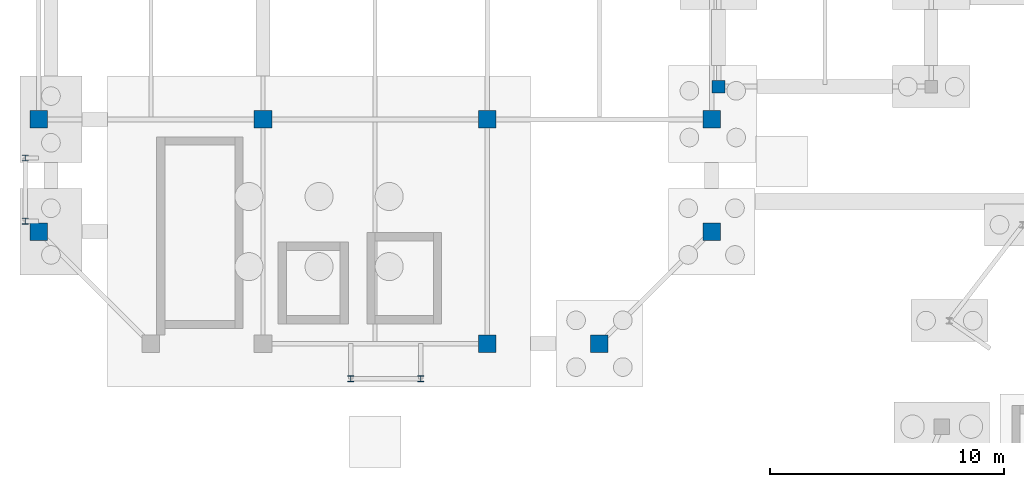
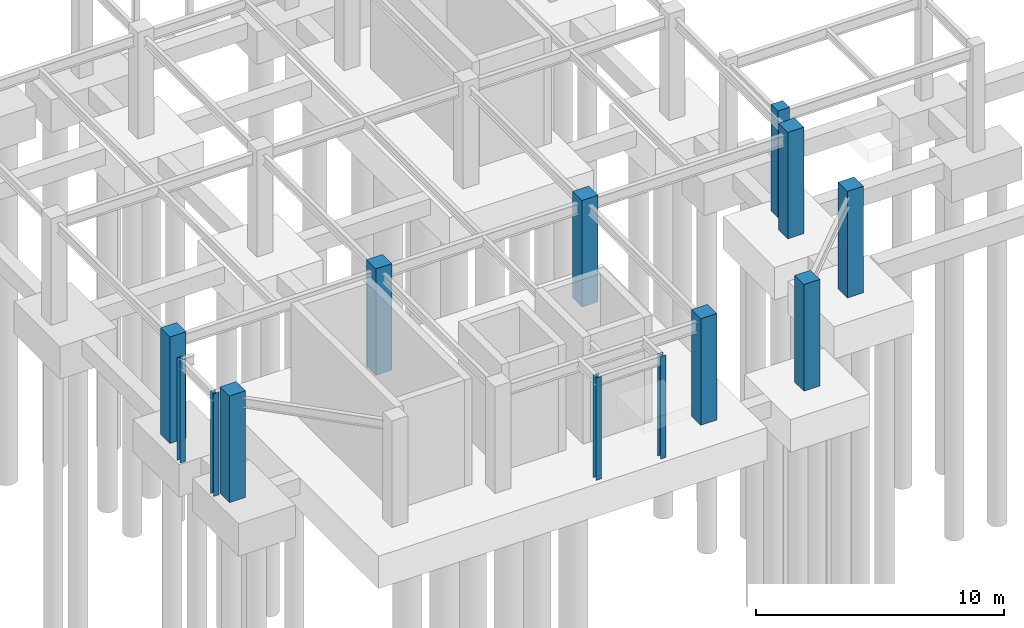
# One storey, part 19 of 55: 13 columns.
"""IFC4 building model written with IfcOpenShell, lengths in metres."""

from ifc_helpers import new_model, si_unit, direction, frame, origin, origin_2d, place, context, subcontext, project, spatial, rectangle, i_section, extrude, material, material_profile, profile_set, type_object, element, save


model = new_model("IFC4")

# Units and contexts
model_context = context("Model", 3, precision=1e-05, world=origin(), true_north=direction((0.0, 1.0)))
body_context = subcontext(model_context, "Body", "Model", "MODEL_VIEW")
ifc_project = project(units=[si_unit("LENGTHUNIT", "METRE"), si_unit("AREAUNIT", "SQUARE_METRE"), si_unit("VOLUMEUNIT", "CUBIC_METRE"), si_unit("PLANEANGLEUNIT", "RADIAN"), si_unit("MASSUNIT", "GRAM", prefix="KILO")], contexts=[model_context])

# Site, building, storey
site_placement = place(None, origin())
site = spatial("IfcSite", under=ifc_project, at=site_placement, CompositionType="ELEMENT")
building_placement = place(site_placement, origin())
building = spatial("IfcBuilding", under=site, at=building_placement, Name="Almandine Court Research Institute", CompositionType="ELEMENT")
storey_placement = place(building_placement, frame((0.0, 0.0, -5.25)))
storey = spatial("IfcBuildingStorey", under=building, at=storey_placement, Name="B1", CompositionType="ELEMENT", Elevation=-5.25)

# Columns
ifc_material_1 = material(Name="Concrete C40/50", Category="concrete")
ifc_material_profile_1 = material_profile(ifc_material_1, rectangle(XDim=0.75, YDim=0.75, at=origin_2d()), Name="RC 750x750")
ifc_profile_set_1 = profile_set([ifc_material_profile_1], Name="Concrete C40/50")
column_type_1 = type_object("IfcColumnType", Name="Col-C-RC1", PredefinedType="COLUMN", material=ifc_profile_set_1)
for number, where, z_axis, x_axis, name in (
    (1, (6.0, 93.60009765625, 0.0), (0.0, 0.0, 1.0), (1.0, 0.0, 0.0), "B1 V3 Column V3-X1Y2"),
    (2, (15.60009765625, 93.60009765625, 0.0), (0.0, 0.0, 1.0), (1.0, 0.0, 0.0), "B1 V3 Column V3-X2Y2"),
    (3, (25.199951171875, 84.0, 0.0), (0.0, 0.0, 1.0), (1.0, 0.0, 0.0), "B1 V3 Column V3-X3Y1"),
    (4, (25.199951171875, 93.60009765625, 0.0), (0.0, 0.0, 1.0), (1.0, 0.0, 0.0), "B1 V3 Column V3-X3Y2"),
    (5, (34.800048828125, 93.60009765625, 0.0), (0.0, 0.0, 1.0), (1.0, 0.0, 0.0), "B1 V3 Column V3-X4Y2"),
    (6, (30.0, 84.0, 0.0), (0.0, 0.0, 1.0), (1.0, 0.0, 0.0), "B1 V3 Column V3-CH2"),
    (7, (34.800048828125, 88.800048828125, 0.0), (0.0, 0.0, 1.0), (1.0, 0.0, 0.0), "B1 V3 Column V3-CH3"),
    (8, (6.0, 88.800048828125, 0.0), (0.0, 0.0, 1.0), (1.0, 0.0, 0.0), "B1 V3 Column V3-CH8"),
):
    element("IfcColumn", number, at=place(storey_placement, frame(where, z_axis=z_axis, x_axis=x_axis)), inside=storey, type_object=column_type_1, Name=name, PredefinedType="COLUMN", context=body_context, shape_type="SweptSolid", body=[
        extrude(rectangle(XDim=0.75, YDim=0.75, at=origin_2d()), origin(), (0.0, 0.0, 1.0), 5.25),
    ])
ifc_material_profile_2 = material_profile(ifc_material_1, rectangle(XDim=0.550048828125, YDim=0.550048828125, at=origin_2d()), Name="RC 550x550")
ifc_profile_set_2 = profile_set([ifc_material_profile_2], Name="Concrete C40/50")
column_type_2 = type_object("IfcColumnType", Name="Col-C-RC3", PredefinedType="COLUMN", material=ifc_profile_set_2)
column_placement = place(storey_placement, frame((35.10009765625, 95.0, 0.0), z_axis=(0.0, 0.0, 1.0), x_axis=(1.0, 0.0, 0.0)))
element("IfcColumn", 9, at=column_placement, inside=storey, type_object=column_type_2, Name="B1 DAL-NW Column DAL-NW-X1Y1", PredefinedType="COLUMN", context=body_context, shape_type="SweptSolid", body=[
    extrude(rectangle(XDim=0.550048828125, YDim=0.550048828125, at=origin_2d()), origin(), (0.0, 0.0, 1.0), 5.25),
])
ifc_material_2 = material(Name="Steel ASTM A992 Grade 50", Category="steel")
ifc_material_profile_3 = material_profile(ifc_material_2, i_section(OverallWidth=0.25390625, OverallDepth=0.2529296875, WebThickness=0.009033203125, FlangeThickness=0.013916015625, at=origin_2d()), Name="W250x73")
ifc_profile_set_3 = profile_set([ifc_material_profile_3], Name="Steel ASTM A992 Grade 50")
column_type_3 = type_object("IfcColumnType", Name="Col-C-W10", PredefinedType="COLUMN", material=ifc_profile_set_3)
for number, where, z_axis, x_axis, name in (
    (10, (5.419921875, 89.25, 0.0), (0.0, 0.0, 1.0), (1.0, 0.0, 0.0), "B1 Exterior Threshold Support Column PAD-V3-W1-C1"),
    (11, (5.419921875, 91.949951171875, 0.0), (0.0, 0.0, 1.0), (1.0, 0.0, 0.0), "B1 Exterior Threshold Support Column PAD-V3-W1-C2"),
    (12, (19.35009765625, 82.5, 0.0), (0.0, 0.0, 1.0), (1.0, 0.0, 0.0), "B1 Exterior Threshold Support Column PAD-V3-S2-C1"),
    (13, (22.35009765625, 82.5, 0.0), (0.0, 0.0, 1.0), (1.0, 0.0, 0.0), "B1 Exterior Threshold Support Column PAD-V3-S2-C2"),
):
    element("IfcColumn", number, at=place(storey_placement, frame(where, z_axis=z_axis, x_axis=x_axis)), inside=storey, type_object=column_type_3, Name=name, PredefinedType="COLUMN", context=body_context, shape_type="SweptSolid", body=[
        extrude(i_section(OverallWidth=0.25390625, OverallDepth=0.2529296875, WebThickness=0.009033203125, FlangeThickness=0.013916015625, at=origin_2d()), origin(), (0.0, 0.0, 1.0), 5.050048828125),
    ])

save(model, "model.ifc")
